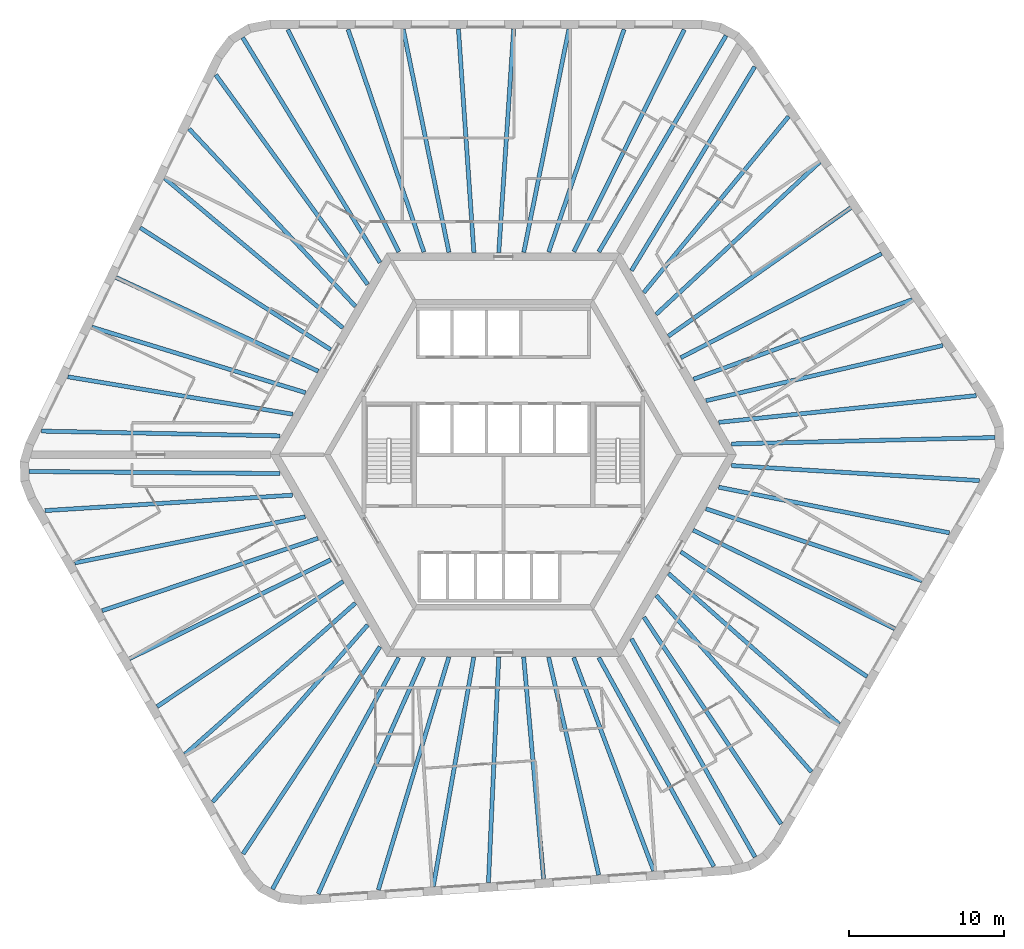
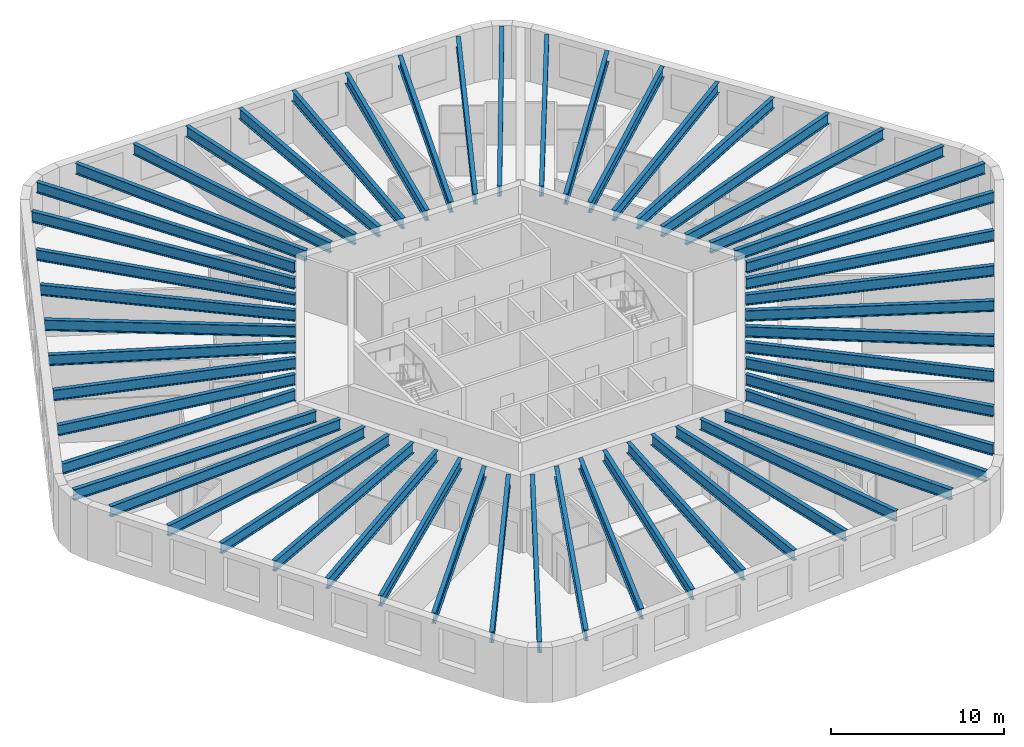
# One storey, part 1 of 10: 54 beams.
"""IFC4 building model written with IfcOpenShell, lengths in metres."""

from ifc_helpers import new_model, si_unit, direction, frame, origin, origin_2d, place, context, subcontext, project, spatial, i_section, extrude, material, material_profile, profile_set, type_object, element, save


model = new_model("IFC4")

# Units and contexts
model_context = context("Model", 3, precision=1e-05, world=origin(), true_north=direction((0.0, 1.0)))
body_context = subcontext(model_context, "Body", "Model", "MODEL_VIEW")
ifc_project = project(units=[si_unit("LENGTHUNIT", "METRE"), si_unit("AREAUNIT", "SQUARE_METRE"), si_unit("VOLUMEUNIT", "CUBIC_METRE"), si_unit("PLANEANGLEUNIT", "RADIAN"), si_unit("MASSUNIT", "GRAM", prefix="KILO")], contexts=[model_context])

# Site, building, storey
site_placement = place(None, origin())
site = spatial("IfcSite", under=ifc_project, at=site_placement, CompositionType="ELEMENT")
building_placement = place(site_placement, origin())
building = spatial("IfcBuilding", under=site, at=building_placement, Name="Tarnside Tower", CompositionType="ELEMENT")
storey_placement = place(building_placement, frame((0.0, 0.0, 191.699951171875)))
storey = spatial("IfcBuildingStorey", under=building, at=storey_placement, Name="L45", CompositionType="ELEMENT", Elevation=191.699951171875)

# Beams
ifc_material = material(Name="Steel S355", Category="steel")
ifc_material_profile_1 = material_profile(ifc_material, i_section(OverallWidth=0.26513671875, OverallDepth=0.75390625, WebThickness=0.0126953125, FlangeThickness=0.017578125, FilletRadius=0.0166015625, at=origin_2d()), Name="UB 762x267x147")
ifc_profile_set_1 = profile_set([ifc_material_profile_1], Name="Steel S355")
beam_type_1 = type_object("IfcBeamType", Name="Floor beam UB 762x267x147", PredefinedType="BEAM", material=ifc_profile_set_1)
beam_1_placement = place(storey_placement, frame((7.77001953125, 27.393310546875, 3.373046875), z_axis=(-0.320362579778, -0.947295000239, 0.0), x_axis=(0.947295000239, -0.320362579778, 0.0)))
element("IfcBeam", 1, at=beam_1_placement, inside=storey, type_object=beam_type_1, Name="Floor beam F1.02", PredefinedType="BEAM", context=body_context, shape_type="SweptSolid", body=[
    extrude(i_section(OverallWidth=0.26513671875, OverallDepth=0.75390625, WebThickness=0.0126953125, FlangeThickness=0.017578125, FilletRadius=0.0166015625, at=origin_2d()), origin(), (0.0, 0.0, 1.0), 15.134033203125),
])
beam_2_placement = place(storey_placement, frame((4.218505859375, 27.410888671875, 3.373046875), z_axis=(-0.19841777413, -0.980117537293, 0.0), x_axis=(0.980117537293, -0.19841777413, 0.0)))
element("IfcBeam", 2, at=beam_2_placement, inside=storey, type_object=beam_type_1, Name="Floor beam F1.03", PredefinedType="BEAM", context=body_context, shape_type="SweptSolid", body=[
    extrude(i_section(OverallWidth=0.26513671875, OverallDepth=0.75390625, WebThickness=0.0126953125, FlangeThickness=0.017578125, FilletRadius=0.0166015625, at=origin_2d()), origin(), (0.0, 0.0, 1.0), 14.6630859375),
])
beam_3_placement = place(storey_placement, frame((0.66259765625, 27.429931640625, 3.373046875), z_axis=(-0.066554914868, -0.997782763585, 0.0), x_axis=(0.997782763585, -0.066554914868, 0.0)))
element("IfcBeam", 3, at=beam_3_placement, inside=storey, type_object=beam_type_1, Name="Floor beam F1.04", PredefinedType="BEAM", context=body_context, shape_type="SweptSolid", body=[
    extrude(i_section(OverallWidth=0.26513671875, OverallDepth=0.75390625, WebThickness=0.0126953125, FlangeThickness=0.017578125, FilletRadius=0.0166015625, at=origin_2d()), origin(), (0.0, 0.0, 1.0), 14.44189453125),
])
beam_4_placement = place(storey_placement, frame((-2.8974609375, 27.429931640625, 3.373046875), z_axis=(0.068876921658, -0.997625164911, 0.0), x_axis=(0.997625164911, 0.068876921658, 0.0)))
element("IfcBeam", 4, at=beam_4_placement, inside=storey, type_object=beam_type_1, Name="Floor beam F1.05", PredefinedType="BEAM", context=body_context, shape_type="SweptSolid", body=[
    extrude(i_section(OverallWidth=0.26513671875, OverallDepth=0.75390625, WebThickness=0.0126953125, FlangeThickness=0.017578125, FilletRadius=0.0166015625, at=origin_2d()), origin(), (0.0, 0.0, 1.0), 14.4443359375),
])
beam_5_placement = place(storey_placement, frame((-6.45361328125, 27.410888671875, 3.373046875), z_axis=(0.200623497398, -0.979668419564, 0.0), x_axis=(0.979668419564, 0.200623497398, 0.0)))
element("IfcBeam", 5, at=beam_5_placement, inside=storey, type_object=beam_type_1, Name="Floor beam F1.06", PredefinedType="BEAM", context=body_context, shape_type="SweptSolid", body=[
    extrude(i_section(OverallWidth=0.26513671875, OverallDepth=0.75390625, WebThickness=0.0126953125, FlangeThickness=0.017578125, FilletRadius=0.0166015625, at=origin_2d()), origin(), (0.0, 0.0, 1.0), 14.669921875),
])
beam_6_placement = place(storey_placement, frame((-10.0048828125, 27.393310546875, 3.373046875), z_axis=(0.322343712034, -0.946622697442, 0.0), x_axis=(0.946622697442, 0.322343712034, 0.0)))
element("IfcBeam", 6, at=beam_6_placement, inside=storey, type_object=beam_type_1, Name="Floor beam F1.07", PredefinedType="BEAM", context=body_context, shape_type="SweptSolid", body=[
    extrude(i_section(OverallWidth=0.26513671875, OverallDepth=0.75390625, WebThickness=0.0126953125, FlangeThickness=0.017578125, FilletRadius=0.0166015625, at=origin_2d()), origin(), (0.0, 0.0, 1.0), 15.144775390625),
])
beam_7_placement = place(storey_placement, frame((-20.241455078125, 20.9892578125, 3.373046875), z_axis=(0.683752330283, -0.729714156936, 0.0), x_axis=(0.729714156936, 0.683752330283, 0.0)))
element("IfcBeam", 7, at=beam_7_placement, inside=storey, type_object=beam_type_1, Name="Floor beam F2.02", PredefinedType="BEAM", context=body_context, shape_type="SweptSolid", body=[
    extrude(i_section(OverallWidth=0.26513671875, OverallDepth=0.75390625, WebThickness=0.0126953125, FlangeThickness=0.017578125, FilletRadius=0.0166015625, at=origin_2d()), origin(), (0.0, 0.0, 1.0), 15.6591796875),
])
beam_8_placement = place(storey_placement, frame((-21.81396484375, 17.80419921875, 3.373046875), z_axis=(0.765948461073, -0.642901979294, 0.0), x_axis=(0.642901979294, 0.765948461073, 0.0)))
element("IfcBeam", 8, at=beam_8_placement, inside=storey, type_object=beam_type_1, Name="Floor beam F2.03", PredefinedType="BEAM", context=body_context, shape_type="SweptSolid", body=[
    extrude(i_section(OverallWidth=0.26513671875, OverallDepth=0.75390625, WebThickness=0.0126953125, FlangeThickness=0.017578125, FilletRadius=0.0166015625, at=origin_2d()), origin(), (0.0, 0.0, 1.0), 14.982177734375),
])
beam_9_placement = place(storey_placement, frame((-23.389892578125, 14.616455078125, 3.373046875), z_axis=(0.842378275633, -0.538886667808, 0.0), x_axis=(0.538886667808, 0.842378275633, 0.0)))
element("IfcBeam", 9, at=beam_9_placement, inside=storey, type_object=beam_type_1, Name="Floor beam F2.04", PredefinedType="BEAM", context=body_context, shape_type="SweptSolid", body=[
    extrude(i_section(OverallWidth=0.26513671875, OverallDepth=0.75390625, WebThickness=0.0126953125, FlangeThickness=0.017578125, FilletRadius=0.0166015625, at=origin_2d()), origin(), (0.0, 0.0, 1.0), 14.5595703125),
])
beam_10_placement = place(storey_placement, frame((-24.9501953125, 11.416748046875, 3.373046875), z_axis=(0.907310131748, -0.420462037321, 0.0), x_axis=(0.420462037321, 0.907310131748, 0.0)))
element("IfcBeam", 10, at=beam_10_placement, inside=storey, type_object=beam_type_1, Name="Floor beam F2.05", PredefinedType="BEAM", context=body_context, shape_type="SweptSolid", body=[
    extrude(i_section(OverallWidth=0.26513671875, OverallDepth=0.75390625, WebThickness=0.0126953125, FlangeThickness=0.017578125, FilletRadius=0.0166015625, at=origin_2d()), origin(), (0.0, 0.0, 1.0), 14.353515625),
])
beam_11_placement = place(storey_placement, frame((-26.510986328125, 8.2177734375, 3.373046875), z_axis=(0.956073348261, -0.293127536654, 0.0), x_axis=(0.293127536654, 0.956073348261, 0.0)))
element("IfcBeam", 11, at=beam_11_placement, inside=storey, type_object=beam_type_1, Name="Floor beam F2.06", PredefinedType="BEAM", context=body_context, shape_type="SweptSolid", body=[
    extrude(i_section(OverallWidth=0.26513671875, OverallDepth=0.75390625, WebThickness=0.0126953125, FlangeThickness=0.017578125, FilletRadius=0.0166015625, at=origin_2d()), origin(), (0.0, 0.0, 1.0), 14.3955078125),
])
beam_12_placement = place(storey_placement, frame((-28.0517578125, 5.015869140625, 3.373046875), z_axis=(0.986476498304, -0.163902770858, 0.0), x_axis=(0.163902770858, 0.986476498304, 0.0)))
element("IfcBeam", 12, at=beam_12_placement, inside=storey, type_object=beam_type_1, Name="Floor beam F2.07", PredefinedType="BEAM", context=body_context, shape_type="SweptSolid", body=[
    extrude(i_section(OverallWidth=0.26513671875, OverallDepth=0.75390625, WebThickness=0.0126953125, FlangeThickness=0.017578125, FilletRadius=0.0166015625, at=origin_2d()), origin(), (0.0, 0.0, 1.0), 14.680908203125),
])
beam_13_placement = place(storey_placement, frame((-29.73828125, 1.521484375, 3.373046875), z_axis=(0.999800142641, -0.019991867701, 0.0), x_axis=(0.019991867701, 0.999800142641, 0.0)))
element("IfcBeam", 13, at=beam_13_placement, inside=storey, type_object=beam_type_1, Name="Floor beam F2.08", PredefinedType="BEAM", context=body_context, shape_type="SweptSolid", body=[
    extrude(i_section(OverallWidth=0.26513671875, OverallDepth=0.75390625, WebThickness=0.0126953125, FlangeThickness=0.017578125, FilletRadius=0.0166015625, at=origin_2d()), origin(), (0.0, 0.0, 1.0), 15.3505859375),
])
beam_14_placement = place(storey_placement, frame((-27.608154296875, -6.967529296875, 3.373046875), z_axis=(0.980564540422, 0.196196794232, 0.0), x_axis=(-0.196196794232, 0.980564540422, 0.0)))
element("IfcBeam", 14, at=beam_14_placement, inside=storey, type_object=beam_type_1, Name="Floor beam F3.02", PredefinedType="BEAM", context=body_context, shape_type="SweptSolid", body=[
    extrude(i_section(OverallWidth=0.26513671875, OverallDepth=0.75390625, WebThickness=0.0126953125, FlangeThickness=0.017578125, FilletRadius=0.0166015625, at=origin_2d()), origin(), (0.0, 0.0, 1.0), 15.134033203125),
])
beam_15_placement = place(storey_placement, frame((-25.84765625, -10.052001953125, 3.373046875), z_axis=(0.948011835322, 0.31823507049, 0.0), x_axis=(-0.31823507049, 0.948011835322, 0.0)))
element("IfcBeam", 15, at=beam_15_placement, inside=storey, type_object=beam_type_1, Name="Floor beam F3.03", PredefinedType="BEAM", context=body_context, shape_type="SweptSolid", body=[
    extrude(i_section(OverallWidth=0.26513671875, OverallDepth=0.75390625, WebThickness=0.0126953125, FlangeThickness=0.017578125, FilletRadius=0.0166015625, at=origin_2d()), origin(), (0.0, 0.0, 1.0), 14.662841796875),
])
beam_16_placement = place(storey_placement, frame((-24.086181640625, -13.141357421875, 3.373046875), z_axis=(0.897375974806, 0.441266767206, 0.0), x_axis=(-0.441266767206, 0.897375974806, 0.0)))
element("IfcBeam", 16, at=beam_16_placement, inside=storey, type_object=beam_type_1, Name="Floor beam F3.04", PredefinedType="BEAM", context=body_context, shape_type="SweptSolid", body=[
    extrude(i_section(OverallWidth=0.26513671875, OverallDepth=0.75390625, WebThickness=0.0126953125, FlangeThickness=0.017578125, FilletRadius=0.0166015625, at=origin_2d()), origin(), (0.0, 0.0, 1.0), 14.442138671875),
])
beam_17_placement = place(storey_placement, frame((-22.306396484375, -16.224365234375, 3.373046875), z_axis=(0.829532486243, 0.558458462437, 0.0), x_axis=(-0.558458462437, 0.829532486243, 0.0)))
element("IfcBeam", 17, at=beam_17_placement, inside=storey, type_object=beam_type_1, Name="Floor beam F3.05", PredefinedType="BEAM", context=body_context, shape_type="SweptSolid", body=[
    extrude(i_section(OverallWidth=0.26513671875, OverallDepth=0.75390625, WebThickness=0.0126953125, FlangeThickness=0.017578125, FilletRadius=0.0166015625, at=origin_2d()), origin(), (0.0, 0.0, 1.0), 14.444580078125),
])
beam_18_placement = place(storey_placement, frame((-20.51171875, -19.294189453125, 3.373046875), z_axis=(0.74811408094, 0.663570133369, 0.0), x_axis=(-0.663570133369, 0.74811408094, 0.0)))
element("IfcBeam", 18, at=beam_18_placement, inside=storey, type_object=beam_type_1, Name="Floor beam F3.06", PredefinedType="BEAM", context=body_context, shape_type="SweptSolid", body=[
    extrude(i_section(OverallWidth=0.26513671875, OverallDepth=0.75390625, WebThickness=0.0126953125, FlangeThickness=0.017578125, FilletRadius=0.0166015625, at=origin_2d()), origin(), (0.0, 0.0, 1.0), 14.669677734375),
])
beam_19_placement = place(storey_placement, frame((-18.720703125, -22.361083984375, 3.373046875), z_axis=(0.658621010302, 0.752474826681, 0.0), x_axis=(-0.752474826681, 0.658621010302, 0.0)))
element("IfcBeam", 19, at=beam_19_placement, inside=storey, type_object=beam_type_1, Name="Floor beam F3.07", PredefinedType="BEAM", context=body_context, shape_type="SweptSolid", body=[
    extrude(i_section(OverallWidth=0.26513671875, OverallDepth=0.75390625, WebThickness=0.0126953125, FlangeThickness=0.017578125, FilletRadius=0.0166015625, at=origin_2d()), origin(), (0.0, 0.0, 1.0), 15.144775390625),
])
beam_20_placement = place(storey_placement, frame((-8.056396484375, -28.024169921875, 3.373046875), z_axis=(0.290070138838, 0.957005388989, 0.0), x_axis=(-0.957005388989, 0.290070138838, 0.0)))
element("IfcBeam", 20, at=beam_20_placement, inside=storey, type_object=beam_type_1, Name="Floor beam F4.02", PredefinedType="BEAM", context=body_context, shape_type="SweptSolid", body=[
    extrude(i_section(OverallWidth=0.26513671875, OverallDepth=0.75390625, WebThickness=0.0126953125, FlangeThickness=0.017578125, FilletRadius=0.0166015625, at=origin_2d()), origin(), (0.0, 0.0, 1.0), 15.6591796875),
])
beam_21_placement = place(storey_placement, frame((-4.511962890625, -27.793701171875, 3.373046875), z_axis=(0.173788122681, 0.984783066678, 0.0), x_axis=(-0.984783066678, 0.173788122681, 0.0)))
element("IfcBeam", 21, at=beam_21_placement, inside=storey, type_object=beam_type_1, Name="Floor beam F4.03", PredefinedType="BEAM", context=body_context, shape_type="SweptSolid", body=[
    extrude(i_section(OverallWidth=0.26513671875, OverallDepth=0.75390625, WebThickness=0.0126953125, FlangeThickness=0.017578125, FilletRadius=0.0166015625, at=origin_2d()), origin(), (0.0, 0.0, 1.0), 14.982421875),
])
beam_22_placement = place(storey_placement, frame((-0.96337890625, -27.564453125, 3.373046875), z_axis=(0.045509585226, 0.998963902077, 0.0), x_axis=(-0.998963902077, 0.045509585226, 0.0)))
element("IfcBeam", 22, at=beam_22_placement, inside=storey, type_object=beam_type_1, Name="Floor beam F4.04", PredefinedType="BEAM", context=body_context, shape_type="SweptSolid", body=[
    extrude(i_section(OverallWidth=0.26513671875, OverallDepth=0.75390625, WebThickness=0.0126953125, FlangeThickness=0.017578125, FilletRadius=0.0166015625, at=origin_2d()), origin(), (0.0, 0.0, 1.0), 14.5595703125),
])
beam_23_placement = place(storey_placement, frame((2.587890625, -27.31591796875, 3.373046875), z_axis=(-0.089518916897, 0.995985122137, 0.0), x_axis=(-0.995985122137, -0.089518916897, 0.0)))
element("IfcBeam", 23, at=beam_23_placement, inside=storey, type_object=beam_type_1, Name="Floor beam F4.05", PredefinedType="BEAM", context=body_context, shape_type="SweptSolid", body=[
    extrude(i_section(OverallWidth=0.26513671875, OverallDepth=0.75390625, WebThickness=0.0126953125, FlangeThickness=0.017578125, FilletRadius=0.0166015625, at=origin_2d()), origin(), (0.0, 0.0, 1.0), 14.353515625),
])
beam_24_placement = place(storey_placement, frame((6.138671875, -27.068115234375, 3.373046875), z_axis=(-0.224188122435, 0.974545886944, 0.0), x_axis=(-0.974545886944, -0.224188122435, 0.0)))
element("IfcBeam", 24, at=beam_24_placement, inside=storey, type_object=beam_type_1, Name="Floor beam F4.06", PredefinedType="BEAM", context=body_context, shape_type="SweptSolid", body=[
    extrude(i_section(OverallWidth=0.26513671875, OverallDepth=0.75390625, WebThickness=0.0126953125, FlangeThickness=0.017578125, FilletRadius=0.0166015625, at=origin_2d()), origin(), (0.0, 0.0, 1.0), 14.3955078125),
])
beam_25_placement = place(storey_placement, frame((9.681884765625, -26.801513671875, 3.373046875), z_axis=(-0.351271055087, 0.936273809234, 0.0), x_axis=(-0.936273809234, -0.351271055087, 0.0)))
element("IfcBeam", 25, at=beam_25_placement, inside=storey, type_object=beam_type_1, Name="Floor beam F4.07", PredefinedType="BEAM", context=body_context, shape_type="SweptSolid", body=[
    extrude(i_section(OverallWidth=0.26513671875, OverallDepth=0.75390625, WebThickness=0.0126953125, FlangeThickness=0.017578125, FilletRadius=0.0166015625, at=origin_2d()), origin(), (0.0, 0.0, 1.0), 14.680908203125),
])
beam_26_placement = place(storey_placement, frame((13.551513671875, -26.514892578125, 3.373046875), z_axis=(-0.482584088089, 0.875849643445, 0.0), x_axis=(-0.875849643445, -0.482584088089, 0.0)))
element("IfcBeam", 26, at=beam_26_placement, inside=storey, type_object=beam_type_1, Name="Floor beam F4.08", PredefinedType="BEAM", context=body_context, shape_type="SweptSolid", body=[
    extrude(i_section(OverallWidth=0.26513671875, OverallDepth=0.75390625, WebThickness=0.0126953125, FlangeThickness=0.017578125, FilletRadius=0.0166015625, at=origin_2d()), origin(), (0.0, 0.0, 1.0), 15.3505859375),
])
beam_27_placement = place(storey_placement, frame((19.838134765625, -20.425537109375, 3.373046875), z_axis=(-0.660201214512, 0.751088780609, 0.0), x_axis=(-0.751088780609, -0.660201214512, 0.0)))
element("IfcBeam", 27, at=beam_27_placement, inside=storey, type_object=beam_type_1, Name="Floor beam F5.02", PredefinedType="BEAM", context=body_context, shape_type="SweptSolid", body=[
    extrude(i_section(OverallWidth=0.26513671875, OverallDepth=0.75390625, WebThickness=0.0126953125, FlangeThickness=0.017578125, FilletRadius=0.0166015625, at=origin_2d()), origin(), (0.0, 0.0, 1.0), 15.134033203125),
])
beam_28_placement = place(storey_placement, frame((21.629150390625, -17.358642578125, 3.373046875), z_axis=(-0.749601662028, 0.661889226597, 0.0), x_axis=(-0.661889226597, -0.749601662028, 0.0)))
element("IfcBeam", 28, at=beam_28_placement, inside=storey, type_object=beam_type_1, Name="Floor beam F5.03", PredefinedType="BEAM", context=body_context, shape_type="SweptSolid", body=[
    extrude(i_section(OverallWidth=0.26513671875, OverallDepth=0.75390625, WebThickness=0.0126953125, FlangeThickness=0.017578125, FilletRadius=0.0166015625, at=origin_2d()), origin(), (0.0, 0.0, 1.0), 14.6630859375),
])
beam_29_placement = place(storey_placement, frame((23.423828125, -14.288818359375, 3.373046875), z_axis=(-0.830825943553, 0.556532345439, 0.0), x_axis=(-0.556532345439, -0.830825943553, 0.0)))
element("IfcBeam", 29, at=beam_29_placement, inside=storey, type_object=beam_type_1, Name="Floor beam F5.04", PredefinedType="BEAM", context=body_context, shape_type="SweptSolid", body=[
    extrude(i_section(OverallWidth=0.26513671875, OverallDepth=0.75390625, WebThickness=0.0126953125, FlangeThickness=0.017578125, FilletRadius=0.0166015625, at=origin_2d()), origin(), (0.0, 0.0, 1.0), 14.4423828125),
])
beam_30_placement = place(storey_placement, frame((25.203857421875, -11.205810546875, 3.373046875), z_axis=(-0.898407034897, 0.43916375038, 0.0), x_axis=(-0.43916375038, -0.898407034897, 0.0)))
element("IfcBeam", 30, at=beam_30_placement, inside=storey, type_object=beam_type_1, Name="Floor beam F5.05", PredefinedType="BEAM", context=body_context, shape_type="SweptSolid", body=[
    extrude(i_section(OverallWidth=0.26513671875, OverallDepth=0.75390625, WebThickness=0.0126953125, FlangeThickness=0.017578125, FilletRadius=0.0166015625, at=origin_2d()), origin(), (0.0, 0.0, 1.0), 14.444580078125),
])
beam_31_placement = place(storey_placement, frame((26.965087890625, -8.116455078125, 3.373046875), z_axis=(-0.948728223501, 0.31609295774, 0.0), x_axis=(-0.31609295774, -0.948728223501, 0.0)))
element("IfcBeam", 31, at=beam_31_placement, inside=storey, type_object=beam_type_1, Name="Floor beam F5.06", PredefinedType="BEAM", context=body_context, shape_type="SweptSolid", body=[
    extrude(i_section(OverallWidth=0.26513671875, OverallDepth=0.75390625, WebThickness=0.0126953125, FlangeThickness=0.017578125, FilletRadius=0.0166015625, at=origin_2d()), origin(), (0.0, 0.0, 1.0), 14.669677734375),
])
beam_32_placement = place(storey_placement, frame((28.7255859375, -5.031982421875, 3.373046875), z_axis=(-0.980974250646, 0.194137888034, 0.0), x_axis=(-0.194137888034, -0.980974250646, 0.0)))
element("IfcBeam", 32, at=beam_32_placement, inside=storey, type_object=beam_type_1, Name="Floor beam F5.07", PredefinedType="BEAM", context=body_context, shape_type="SweptSolid", body=[
    extrude(i_section(OverallWidth=0.26513671875, OverallDepth=0.75390625, WebThickness=0.0126953125, FlangeThickness=0.017578125, FilletRadius=0.0166015625, at=origin_2d()), origin(), (0.0, 0.0, 1.0), 15.144775390625),
])
beam_33_placement = place(storey_placement, frame((28.2978515625, 7.034912109375, 3.373046875), z_axis=(-0.973828212928, -0.227285309042, 0.0), x_axis=(0.227285309042, -0.973828212928, 0.0)))
element("IfcBeam", 33, at=beam_33_placement, inside=storey, type_object=beam_type_1, Name="Floor beam F6.02", PredefinedType="BEAM", context=body_context, shape_type="SweptSolid", body=[
    extrude(i_section(OverallWidth=0.26513671875, OverallDepth=0.75390625, WebThickness=0.0126953125, FlangeThickness=0.017578125, FilletRadius=0.0166015625, at=origin_2d()), origin(), (0.0, 0.0, 1.0), 15.6591796875),
])
beam_34_placement = place(storey_placement, frame((26.325927734375, 9.989501953125, 3.373046875), z_axis=(-0.939738697004, -0.341893523415, 0.0), x_axis=(0.341893523415, -0.939738697004, 0.0)))
element("IfcBeam", 34, at=beam_34_placement, inside=storey, type_object=beam_type_1, Name="Floor beam F6.03", PredefinedType="BEAM", context=body_context, shape_type="SweptSolid", body=[
    extrude(i_section(OverallWidth=0.26513671875, OverallDepth=0.75390625, WebThickness=0.0126953125, FlangeThickness=0.017578125, FilletRadius=0.0166015625, at=origin_2d()), origin(), (0.0, 0.0, 1.0), 14.982177734375),
])
beam_35_placement = place(storey_placement, frame((24.353271484375, 12.947998046875, 3.373046875), z_axis=(-0.887881646639, -0.460071930856, 0.0), x_axis=(0.460071930856, -0.887881646639, 0.0)))
element("IfcBeam", 35, at=beam_35_placement, inside=storey, type_object=beam_type_1, Name="Floor beam F6.04", PredefinedType="BEAM", context=body_context, shape_type="SweptSolid", body=[
    extrude(i_section(OverallWidth=0.26513671875, OverallDepth=0.75390625, WebThickness=0.0126953125, FlangeThickness=0.017578125, FilletRadius=0.0166015625, at=origin_2d()), origin(), (0.0, 0.0, 1.0), 14.5595703125),
])
beam_36_placement = place(storey_placement, frame((22.3623046875, 15.899169921875, 3.373046875), z_axis=(-0.817791001708, -0.575515314762, 0.0), x_axis=(0.575515314762, -0.817791001708, 0.0)))
element("IfcBeam", 36, at=beam_36_placement, inside=storey, type_object=beam_type_1, Name="Floor beam F6.05", PredefinedType="BEAM", context=body_context, shape_type="SweptSolid", body=[
    extrude(i_section(OverallWidth=0.26513671875, OverallDepth=0.75390625, WebThickness=0.0126953125, FlangeThickness=0.017578125, FilletRadius=0.0166015625, at=origin_2d()), origin(), (0.0, 0.0, 1.0), 14.353759765625),
])
beam_37_placement = place(storey_placement, frame((20.372314453125, 18.850341796875, 3.373046875), z_axis=(-0.731892224456, -0.681420407517, 0.0), x_axis=(0.681420407517, -0.731892224456, 0.0)))
element("IfcBeam", 37, at=beam_37_placement, inside=storey, type_object=beam_type_1, Name="Floor beam F6.06", PredefinedType="BEAM", context=body_context, shape_type="SweptSolid", body=[
    extrude(i_section(OverallWidth=0.26513671875, OverallDepth=0.75390625, WebThickness=0.0126953125, FlangeThickness=0.017578125, FilletRadius=0.0166015625, at=origin_2d()), origin(), (0.0, 0.0, 1.0), 14.3955078125),
])
beam_38_placement = place(storey_placement, frame((18.369873046875, 21.78564453125, 3.373046875), z_axis=(-0.635191827457, -0.772354414975, 0.0), x_axis=(0.772354414975, -0.635191827457, 0.0)))
element("IfcBeam", 38, at=beam_38_placement, inside=storey, type_object=beam_type_1, Name="Floor beam F6.07", PredefinedType="BEAM", context=body_context, shape_type="SweptSolid", body=[
    extrude(i_section(OverallWidth=0.26513671875, OverallDepth=0.75390625, WebThickness=0.0126953125, FlangeThickness=0.017578125, FilletRadius=0.0166015625, at=origin_2d()), origin(), (0.0, 0.0, 1.0), 14.680908203125),
])
beam_39_placement = place(storey_placement, frame((16.186767578125, 24.993408203125, 3.373046875), z_axis=(-0.517208605106, -0.855859368591, 0.0), x_axis=(0.855859368591, -0.517208605106, 0.0)))
element("IfcBeam", 39, at=beam_39_placement, inside=storey, type_object=beam_type_1, Name="Floor beam F6.08", PredefinedType="BEAM", context=body_context, shape_type="SweptSolid", body=[
    extrude(i_section(OverallWidth=0.26513671875, OverallDepth=0.75390625, WebThickness=0.0126953125, FlangeThickness=0.017578125, FilletRadius=0.0166015625, at=origin_2d()), origin(), (0.0, 0.0, 1.0), 15.3505859375),
])
ifc_material_profile_2 = material_profile(ifc_material, i_section(OverallWidth=0.2666015625, OverallDepth=0.76220703125, WebThickness=0.014404296875, FlangeThickness=0.021484375, FilletRadius=0.0166015625, at=origin_2d()), Name="UB 762x267x173")
ifc_profile_set_2 = profile_set([ifc_material_profile_2], Name="Steel S355")
beam_type_2 = type_object("IfcBeamType", Name="Floor beam UB 762x267x173", PredefinedType="BEAM", material=ifc_profile_set_2)
beam_40_placement = place(storey_placement, frame((11.6494140625, 27.37841796875, 3.368896484375), z_axis=(-0.445042310328, -0.895509543231, 0.0), x_axis=(0.895509543231, -0.445042310328, 0.0)))
element("IfcBeam", 40, at=beam_40_placement, inside=storey, type_object=beam_type_2, Name="Floor beam F1.01", PredefinedType="BEAM", context=body_context, shape_type="SweptSolid", body=[
    extrude(i_section(OverallWidth=0.2666015625, OverallDepth=0.76220703125, WebThickness=0.014404296875, FlangeThickness=0.021484375, FilletRadius=0.0166015625, at=origin_2d()), origin(), (0.0, 0.0, 1.0), 15.976318359375),
])
beam_41_placement = place(storey_placement, frame((-13.884521484375, 27.37841796875, 3.368896484375), z_axis=(0.44673108957, -0.894668281326, 0.0), x_axis=(0.894668281326, 0.44673108957, 0.0)))
element("IfcBeam", 41, at=beam_41_placement, inside=storey, type_object=beam_type_2, Name="Floor beam F1.08", PredefinedType="BEAM", context=body_context, shape_type="SweptSolid", body=[
    extrude(i_section(OverallWidth=0.2666015625, OverallDepth=0.76220703125, WebThickness=0.014404296875, FlangeThickness=0.021484375, FilletRadius=0.0166015625, at=origin_2d()), origin(), (0.0, 0.0, 1.0), 15.9912109375),
])
beam_42_placement = place(storey_placement, frame((-16.79345703125, 26.86962890625, 3.368896484375), z_axis=(0.520940467881, -0.853593011291, 0.0), x_axis=(0.853593011291, 0.520940467881, 0.0)))
element("IfcBeam", 42, at=beam_42_placement, inside=storey, type_object=beam_type_2, Name="Floor beam C1", PredefinedType="BEAM", context=body_context, shape_type="SweptSolid", body=[
    extrude(i_section(OverallWidth=0.2666015625, OverallDepth=0.76220703125, WebThickness=0.014404296875, FlangeThickness=0.021484375, FilletRadius=0.0166015625, at=origin_2d()), origin(), (0.0, 0.0, 1.0), 16.980712890625),
])
beam_43_placement = place(storey_placement, frame((-18.52685546875, 24.471435546875, 3.368896484375), z_axis=(0.586791943415, -0.80973774467, 0.0), x_axis=(0.80973774467, 0.586791943415, 0.0)))
element("IfcBeam", 43, at=beam_43_placement, inside=storey, type_object=beam_type_2, Name="Floor beam F2.01", PredefinedType="BEAM", context=body_context, shape_type="SweptSolid", body=[
    extrude(i_section(OverallWidth=0.2666015625, OverallDepth=0.76220703125, WebThickness=0.014404296875, FlangeThickness=0.021484375, FilletRadius=0.0166015625, at=origin_2d()), origin(), (0.0, 0.0, 1.0), 16.67578125),
])
beam_44_placement = place(storey_placement, frame((-30.543212890625, -1.079345703125, 3.368896484375), z_axis=(0.999966072652, -0.008237326324, 0.0), x_axis=(0.008237326324, 0.999966072652, 0.0)))
element("IfcBeam", 44, at=beam_44_placement, inside=storey, type_object=beam_type_2, Name="Floor beam C2", PredefinedType="BEAM", context=body_context, shape_type="SweptSolid", body=[
    extrude(i_section(OverallWidth=0.2666015625, OverallDepth=0.76220703125, WebThickness=0.014404296875, FlangeThickness=0.021484375, FilletRadius=0.0166015625, at=origin_2d()), origin(), (0.0, 0.0, 1.0), 16.15283203125),
])
beam_45_placement = place(storey_placement, frame((-29.534912109375, -3.6005859375, 3.368896484375), z_axis=(0.99805531279, 0.062334521832, 0.0), x_axis=(-0.062334521832, 0.99805531279, 0.0)))
element("IfcBeam", 45, at=beam_45_placement, inside=storey, type_object=beam_type_2, Name="Floor beam F3.01", PredefinedType="BEAM", context=body_context, shape_type="SweptSolid", body=[
    extrude(i_section(OverallWidth=0.2666015625, OverallDepth=0.76220703125, WebThickness=0.014404296875, FlangeThickness=0.021484375, FilletRadius=0.0166015625, at=origin_2d()), origin(), (0.0, 0.0, 1.0), 15.975830078125),
])
beam_46_placement = place(storey_placement, frame((-16.768310546875, -25.71337890625, 3.368896484375), z_axis=(0.551447600123, 0.834209532623, 0.0), x_axis=(-0.834209532623, 0.551447600123, 0.0)))
element("IfcBeam", 46, at=beam_46_placement, inside=storey, type_object=beam_type_2, Name="Floor beam F3.08", PredefinedType="BEAM", context=body_context, shape_type="SweptSolid", body=[
    extrude(i_section(OverallWidth=0.2666015625, OverallDepth=0.76220703125, WebThickness=0.014404296875, FlangeThickness=0.021484375, FilletRadius=0.0166015625, at=origin_2d()), origin(), (0.0, 0.0, 1.0), 15.9912109375),
])
beam_47_placement = place(storey_placement, frame((-14.873046875, -27.978515625, 3.368896484375), z_axis=(0.478767512404, 0.877941723047, 0.0), x_axis=(-0.877941723047, 0.478767512404, 0.0)))
element("IfcBeam", 47, at=beam_47_placement, inside=storey, type_object=beam_type_2, Name="Floor beam C3", PredefinedType="BEAM", context=body_context, shape_type="SweptSolid", body=[
    extrude(i_section(OverallWidth=0.2666015625, OverallDepth=0.76220703125, WebThickness=0.014404296875, FlangeThickness=0.021484375, FilletRadius=0.0166015625, at=origin_2d()), origin(), (0.0, 0.0, 1.0), 16.98095703125),
])
beam_48_placement = place(storey_placement, frame((-11.929443359375, -28.280517578125, 3.368896484375), z_axis=(0.407852035629, 0.913048036542, 0.0), x_axis=(-0.913048036542, 0.407852035629, 0.0)))
element("IfcBeam", 48, at=beam_48_placement, inside=storey, type_object=beam_type_2, Name="Floor beam F4.01", PredefinedType="BEAM", context=body_context, shape_type="SweptSolid", body=[
    extrude(i_section(OverallWidth=0.2666015625, OverallDepth=0.76220703125, WebThickness=0.014404296875, FlangeThickness=0.021484375, FilletRadius=0.0166015625, at=origin_2d()), origin(), (0.0, 0.0, 1.0), 16.67578125),
])
beam_49_placement = place(storey_placement, frame((16.206298828125, -25.91162109375, 3.368896484375), z_axis=(-0.492847437034, 0.870115741616, 0.0), x_axis=(-0.870115741616, -0.492847437034, 0.0)))
element("IfcBeam", 49, at=beam_49_placement, inside=storey, type_object=beam_type_2, Name="Floor beam C4", PredefinedType="BEAM", context=body_context, shape_type="SweptSolid", body=[
    extrude(i_section(OverallWidth=0.2666015625, OverallDepth=0.76220703125, WebThickness=0.014404296875, FlangeThickness=0.021484375, FilletRadius=0.0166015625, at=origin_2d()), origin(), (0.0, 0.0, 1.0), 16.15283203125),
])
beam_50_placement = place(storey_placement, frame((17.8857421875, -23.77783203125, 3.368896484375), z_axis=(-0.553013371197, 0.833172377889, 0.0), x_axis=(-0.833172377889, -0.553013371197, 0.0)))
element("IfcBeam", 50, at=beam_50_placement, inside=storey, type_object=beam_type_2, Name="Floor beam F5.01", PredefinedType="BEAM", context=body_context, shape_type="SweptSolid", body=[
    extrude(i_section(OverallWidth=0.2666015625, OverallDepth=0.76220703125, WebThickness=0.014404296875, FlangeThickness=0.021484375, FilletRadius=0.0166015625, at=origin_2d()), origin(), (0.0, 0.0, 1.0), 15.97607421875),
])
beam_51_placement = place(storey_placement, frame((30.652587890625, -1.6650390625, 3.368896484375), z_axis=(-0.998170730858, 0.060458184371, 0.0), x_axis=(-0.060458184371, -0.998170730858, 0.0)))
element("IfcBeam", 51, at=beam_51_placement, inside=storey, type_object=beam_type_2, Name="Floor beam F5.08", PredefinedType="BEAM", context=body_context, shape_type="SweptSolid", body=[
    extrude(i_section(OverallWidth=0.2666015625, OverallDepth=0.76220703125, WebThickness=0.014404296875, FlangeThickness=0.021484375, FilletRadius=0.0166015625, at=origin_2d()), origin(), (0.0, 0.0, 1.0), 15.9912109375),
])
beam_52_placement = place(storey_placement, frame((31.66650390625, 1.108642578125, 3.368896484375), z_axis=(-0.999703706976, -0.024341287118, 0.0), x_axis=(0.024341287118, -0.999703706976, 0.0)))
element("IfcBeam", 52, at=beam_52_placement, inside=storey, type_object=beam_type_2, Name="Floor beam C5", PredefinedType="BEAM", context=body_context, shape_type="SweptSolid", body=[
    extrude(i_section(OverallWidth=0.2666015625, OverallDepth=0.76220703125, WebThickness=0.014404296875, FlangeThickness=0.021484375, FilletRadius=0.0166015625, at=origin_2d()), origin(), (0.0, 0.0, 1.0), 16.980712890625),
])
beam_53_placement = place(storey_placement, frame((30.456298828125, 3.80908203125, 3.368896484375), z_axis=(-0.994648352349, -0.103318222829, 0.0), x_axis=(0.103318222829, -0.994648352349, 0.0)))
element("IfcBeam", 53, at=beam_53_placement, inside=storey, type_object=beam_type_2, Name="Floor beam F6.01", PredefinedType="BEAM", context=body_context, shape_type="SweptSolid", body=[
    extrude(i_section(OverallWidth=0.2666015625, OverallDepth=0.76220703125, WebThickness=0.014404296875, FlangeThickness=0.021484375, FilletRadius=0.0166015625, at=origin_2d()), origin(), (0.0, 0.0, 1.0), 16.67578125),
])
beam_54_placement = place(storey_placement, frame((14.3369140625, 26.990966796875, 3.368896484375), z_axis=(-0.507115238706, -0.861878259775, 0.0), x_axis=(0.861878259775, -0.507115238706, 0.0)))
element("IfcBeam", 54, at=beam_54_placement, inside=storey, type_object=beam_type_2, Name="Floor beam C6", PredefinedType="BEAM", context=body_context, shape_type="SweptSolid", body=[
    extrude(i_section(OverallWidth=0.2666015625, OverallDepth=0.76220703125, WebThickness=0.014404296875, FlangeThickness=0.021484375, FilletRadius=0.0166015625, at=origin_2d()), origin(), (0.0, 0.0, 1.0), 16.15283203125),
])

save(model, "model.ifc")
